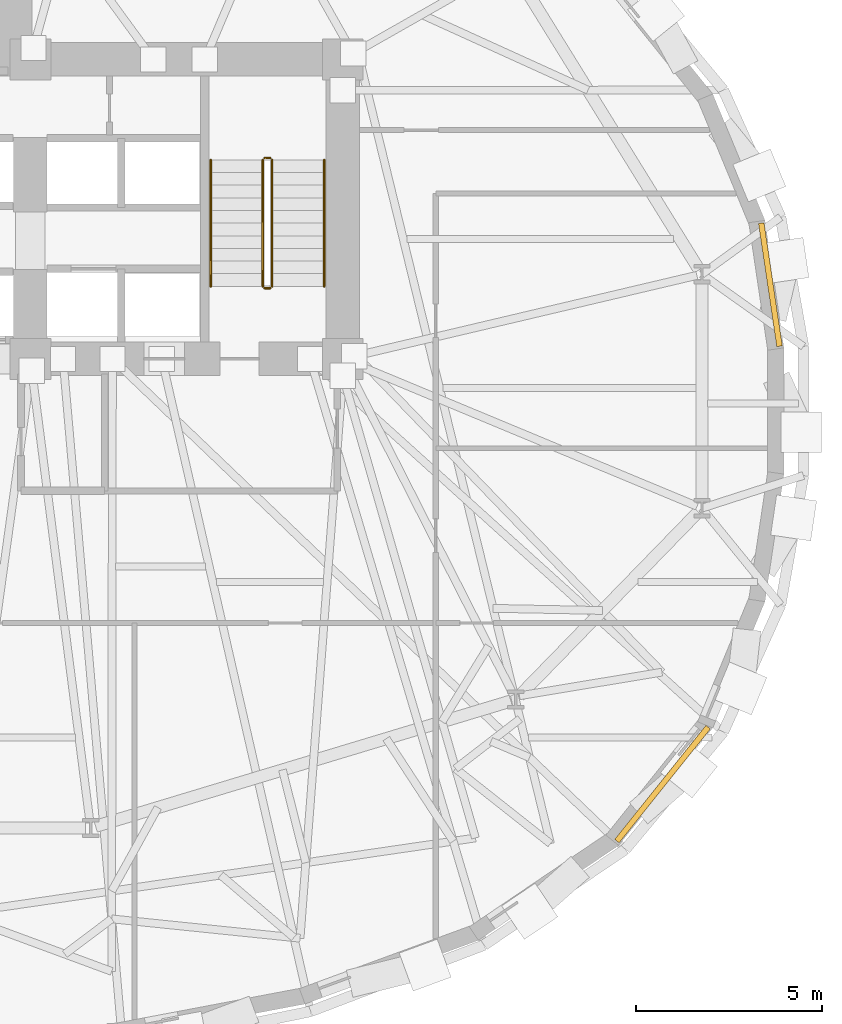
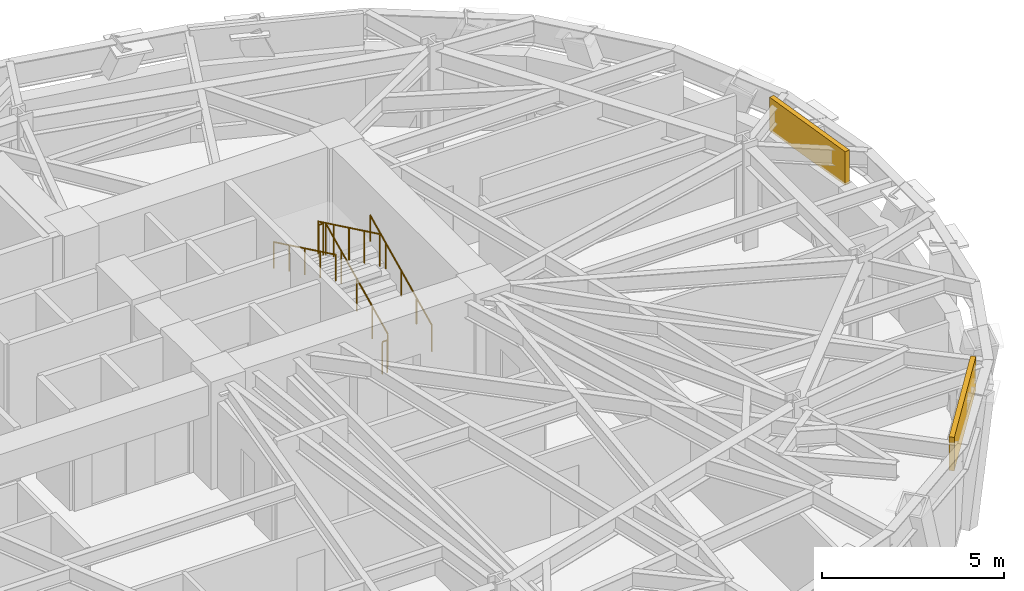
# One storey, part 12 of 13: 6 railings, 2 coverings.
"""IFC4 building model written with IfcOpenShell, lengths in metres."""

from ifc_helpers import new_model, si_unit, direction, frame, origin, origin_2d, place, context, subcontext, project, spatial, rectangle, circle, extrude, material, layer, layer_set, type_object, element, save


model = new_model("IFC4")

# Units and contexts
model_context = context("Model", 3, precision=1e-05, world=origin(), true_north=direction((0.0, 1.0)))
body_context = subcontext(model_context, "Body", "Model", "MODEL_VIEW")
ifc_project = project(units=[si_unit("LENGTHUNIT", "METRE"), si_unit("AREAUNIT", "SQUARE_METRE"), si_unit("VOLUMEUNIT", "CUBIC_METRE"), si_unit("PLANEANGLEUNIT", "RADIAN"), si_unit("MASSUNIT", "GRAM", prefix="KILO")], contexts=[model_context])

# Site, building, storey
site_placement = place(None, origin())
site = spatial("IfcSite", under=ifc_project, at=site_placement, CompositionType="ELEMENT")
building_placement = place(site_placement, origin())
building = spatial("IfcBuilding", under=site, at=building_placement, Name="Keldmark Tower", CompositionType="ELEMENT")
storey_placement = place(building_placement, frame((0.0, 0.0, 30.60009765625)))
storey = spatial("IfcBuildingStorey", under=building, at=storey_placement, Name="L07", CompositionType="ELEMENT", Elevation=30.60009765625)

# Coverings
ifc_material_1 = material(Name="Honed Kasota Buff Dolomitic Limestone", Category="masonry")
ifc_layer = layer(ifc_material_1, 0.074951171875)
ifc_layer_set = layer_set([ifc_layer], Name="Honed Kasota Buff Dolomitic Limestone")
covering_type = type_object("IfcCoveringType", Name="Kasota Buff Limestone Spandrel Cladding Band", PredefinedType="CLADDING", material=ifc_layer_set)
covering_1_placement = place(storey_placement, frame((25.095703125, 3.39501953125, 2.452880859375), z_axis=(0.0, 0.0, 1.0), x_axis=(-0.146980803365, 0.989139344805, 0.0)))
element("IfcCovering", 1, at=covering_1_placement, inside=storey, type_object=covering_type, Name="L07 Kasota Limestone Spandrel Band 01", PredefinedType="CLADDING", context=body_context, shape_type="SweptSolid", body=[
    extrude(rectangle(XDim=3.34423828125, YDim=0.14990234375, at=origin_2d()), origin(), (0.0, 0.0, 1.0), 1.126953125),
])
covering_2_placement = place(storey_placement, frame((22.19580078125, -10.03125, 2.452880859375), z_axis=(0.0, 0.0, 1.0), x_axis=(0.625147304108, 0.780506789315, 0.0)))
element("IfcCovering", 2, at=covering_2_placement, inside=storey, type_object=covering_type, Name="L07 Kasota Limestone Spandrel Band 29", PredefinedType="CLADDING", context=body_context, shape_type="SweptSolid", body=[
    extrude(rectangle(XDim=3.9248046875, YDim=0.14990234375, at=origin_2d()), origin(), (0.0, 0.0, 1.0), 1.126953125),
])

# Railings
ifc_material_2 = material(Name="Painted Steel ASTM A500 Grade B", Category="steel")
railing_type_1 = type_object("IfcRailingType", Name="Painted Steel Stair Well Guard 1100 mm", PredefinedType="GUARDRAIL", material=ifc_material_2)
railing_1_placement = place(storey_placement, frame((11.699951171875, 3.35009765625, 0.16357421875)))
element("IfcRailing", 3, at=railing_1_placement, inside=storey, type_object=railing_type_1, Name="L07 ST2 stair guard 1", PredefinedType="GUARDRAIL", context=body_context, shape_type="SweptSolid", body=[
    extrude(circle(Radius=0.02392578125, at=origin_2d()), frame((0.0, 0.0, 1.076171875), z_axis=(0.0, 0.901080338394, 0.433652192153), x_axis=(-1.0, 0.0, 0.0)), (0.0, 0.0, 1.0), 3.773193359375),
    extrude(circle(Radius=0.02099609375, at=origin_2d()), origin(), (0.0, 0.0, 1.0), 1.052001953125),
    extrude(circle(Radius=0.02099609375, at=origin_2d()), frame((0.0, 0.85009765625, 0.4091796875)), (0.0, 0.0, 1.0), 1.052001953125),
    extrude(circle(Radius=0.02099609375, at=origin_2d()), frame((0.0, 1.699951171875, 0.818115234375)), (0.0, 0.0, 1.0), 1.052001953125),
    extrude(circle(Radius=0.02099609375, at=origin_2d()), frame((0.0, 2.5498046875, 1.22705078125)), (0.0, 0.0, 1.0), 1.052001953125),
    extrude(circle(Radius=0.02099609375, at=origin_2d()), frame((0.0, 3.39990234375, 1.63623046875)), (0.0, 0.0, 1.0), 1.052001953125),
])
railing_2_placement = place(storey_placement, frame((11.64990234375, 6.800048828125, 1.7998046875)))
element("IfcRailing", 4, at=railing_2_placement, inside=storey, type_object=railing_type_1, Name="L07 ST2 stair guard 2", PredefinedType="GUARDRAIL", context=body_context, shape_type="SweptSolid", body=[
    extrude(circle(Radius=0.02392578125, at=origin_2d()), frame((0.0, 0.0, 1.076171875), z_axis=(-1.0, 0.0, 0.0), x_axis=(0.0, -1.0, 0.0)), (0.0, 0.0, 1.0), 0.14990234375),
    extrude(circle(Radius=0.02099609375, at=origin_2d()), origin(), (0.0, 0.0, 1.0), 1.052001953125),
    extrude(circle(Radius=0.02099609375, at=origin_2d()), frame((-0.14990234375, 0.0, 0.0)), (0.0, 0.0, 1.0), 1.052001953125),
])
railing_3_placement = place(storey_placement, frame((11.449951171875, 6.75, 1.963623046875)))
element("IfcRailing", 5, at=railing_3_placement, inside=storey, type_object=railing_type_1, Name="L07 ST2 stair guard 3", PredefinedType="GUARDRAIL", context=body_context, shape_type="SweptSolid", body=[
    extrude(circle(Radius=0.02392578125, at=origin_2d()), frame((0.0, 0.0, 1.076171875), z_axis=(0.0, -0.901080338394, 0.433652192153), x_axis=(1.0, 0.0, 0.0)), (0.0, 0.0, 1.0), 3.773193359375),
    extrude(circle(Radius=0.02099609375, at=origin_2d()), origin(), (0.0, 0.0, 1.0), 1.052001953125),
    extrude(circle(Radius=0.02099609375, at=origin_2d()), frame((0.0, -0.85009765625, 0.4091796875)), (0.0, 0.0, 1.0), 1.052001953125),
    extrude(circle(Radius=0.02099609375, at=origin_2d()), frame((0.0, -1.699951171875, 0.818115234375)), (0.0, 0.0, 1.0), 1.052001953125),
    extrude(circle(Radius=0.02099609375, at=origin_2d()), frame((0.0, -2.5498046875, 1.22705078125)), (0.0, 0.0, 1.0), 1.052001953125),
    extrude(circle(Radius=0.02099609375, at=origin_2d()), frame((0.0, -3.39990234375, 1.63623046875)), (0.0, 0.0, 1.0), 1.052001953125),
])
railing_4_placement = place(storey_placement, frame((11.64990234375, 3.300048828125, 0.0)))
element("IfcRailing", 6, at=railing_4_placement, inside=storey, type_object=railing_type_1, Name="L07 ST2 stair guard 4", PredefinedType="GUARDRAIL", context=body_context, shape_type="SweptSolid", body=[
    extrude(circle(Radius=0.02392578125, at=origin_2d()), frame((0.0, 0.0, 1.076171875), z_axis=(-1.0, 0.0, 0.0), x_axis=(0.0, -1.0, 0.0)), (0.0, 0.0, 1.0), 0.14990234375),
    extrude(circle(Radius=0.02099609375, at=origin_2d()), origin(), (0.0, 0.0, 1.0), 1.052001953125),
    extrude(circle(Radius=0.02099609375, at=origin_2d()), frame((-0.14990234375, 0.0, 0.0)), (0.0, 0.0, 1.0), 1.052001953125),
])
ifc_material_3 = material(Name="Stainless Steel AISI 316L", Category="steel")
railing_type_2 = type_object("IfcRailingType", Name="Stainless Steel Stair Handrail 900 mm", PredefinedType="HANDRAIL", material=ifc_material_3)
railing_5_placement = place(storey_placement, frame((13.10009765625, 3.35009765625, 0.16357421875)))
element("IfcRailing", 7, at=railing_5_placement, inside=storey, type_object=railing_type_2, Name="L07 ST2 stair handrail 1", PredefinedType="HANDRAIL", context=body_context, shape_type="SweptSolid", body=[
    extrude(circle(Radius=0.02392578125, at=origin_2d()), frame((0.0, 0.0, 0.8759765625), z_axis=(0.0, 0.901080338394, 0.433652192153), x_axis=(-1.0, 0.0, 0.0)), (0.0, 0.0, 1.0), 3.773193359375),
    extrude(circle(Radius=0.02099609375, at=origin_2d()), origin(), (0.0, 0.0, 1.0), 0.851806640625),
    extrude(circle(Radius=0.02099609375, at=origin_2d()), frame((0.0, 0.85009765625, 0.4091796875)), (0.0, 0.0, 1.0), 0.851806640625),
    extrude(circle(Radius=0.02099609375, at=origin_2d()), frame((0.0, 1.699951171875, 0.818115234375)), (0.0, 0.0, 1.0), 0.851806640625),
    extrude(circle(Radius=0.02099609375, at=origin_2d()), frame((0.0, 2.5498046875, 1.22705078125)), (0.0, 0.0, 1.0), 0.851806640625),
    extrude(circle(Radius=0.02099609375, at=origin_2d()), frame((0.0, 3.39990234375, 1.63623046875)), (0.0, 0.0, 1.0), 0.851806640625),
])
railing_6_placement = place(storey_placement, frame((10.050048828125, 6.75, 1.963623046875)))
element("IfcRailing", 8, at=railing_6_placement, inside=storey, type_object=railing_type_2, Name="L07 ST2 stair handrail 2", PredefinedType="HANDRAIL", context=body_context, shape_type="SweptSolid", body=[
    extrude(circle(Radius=0.02392578125, at=origin_2d()), frame((0.0, 0.0, 0.8759765625), z_axis=(0.0, -0.901080338394, 0.433652192153), x_axis=(1.0, 0.0, 0.0)), (0.0, 0.0, 1.0), 3.773193359375),
    extrude(circle(Radius=0.02099609375, at=origin_2d()), origin(), (0.0, 0.0, 1.0), 0.851806640625),
    extrude(circle(Radius=0.02099609375, at=origin_2d()), frame((0.0, -0.85009765625, 0.4091796875)), (0.0, 0.0, 1.0), 0.851806640625),
    extrude(circle(Radius=0.02099609375, at=origin_2d()), frame((0.0, -1.699951171875, 0.818115234375)), (0.0, 0.0, 1.0), 0.851806640625),
    extrude(circle(Radius=0.02099609375, at=origin_2d()), frame((0.0, -2.5498046875, 1.22705078125)), (0.0, 0.0, 1.0), 0.851806640625),
    extrude(circle(Radius=0.02099609375, at=origin_2d()), frame((0.0, -3.39990234375, 1.63623046875)), (0.0, 0.0, 1.0), 0.851806640625),
])

save(model, "model.ifc")
